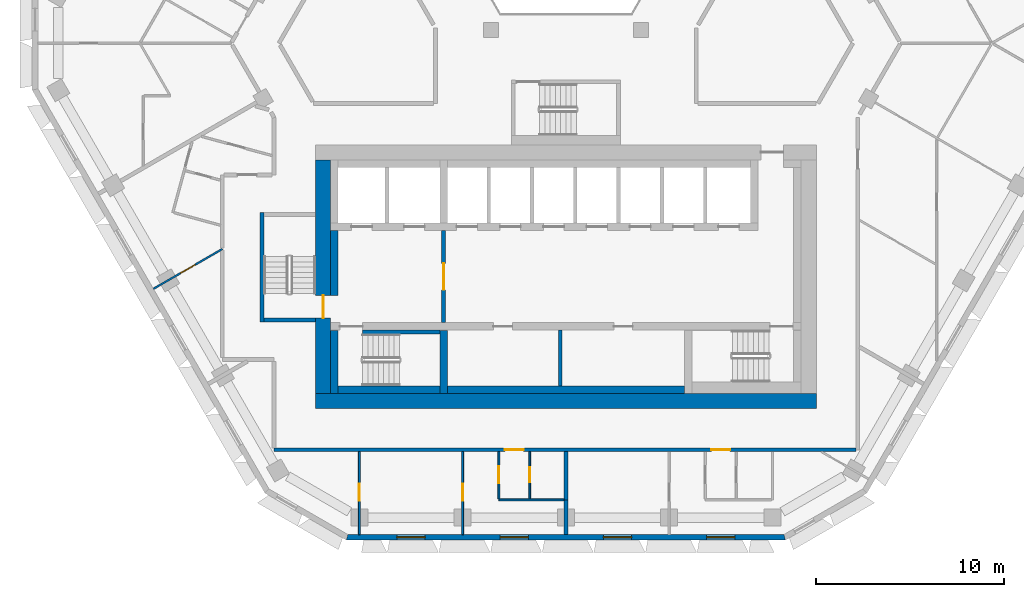
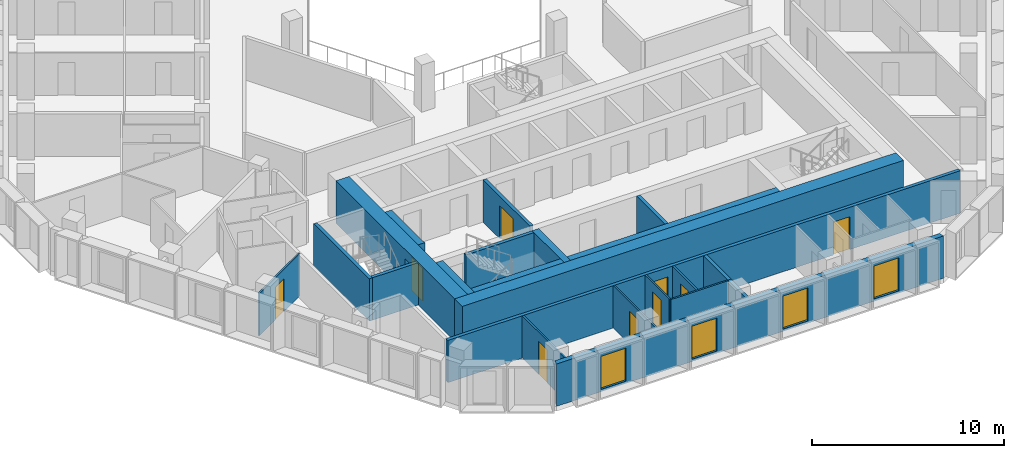
# One storey, part 3 of 15: 22 walls, 9 doors, 4 windows, 13 openings.
"""IFC4 building model written with IfcOpenShell, lengths in metres."""

from ifc_helpers import new_model, si_unit, direction, frame, frame_2d, origin, place, context, subcontext, project, spatial, polyline, rectangle, outline, extrude, material, layer, layer_set, type_object, element, fill, save


model = new_model("IFC4")

# Units and contexts
model_context = context("Model", 3, precision=1e-05, world=origin(), true_north=direction((0.0, 1.0)))
body_context = subcontext(model_context, "Body", "Model", "MODEL_VIEW")
ifc_project = project(units=[si_unit("LENGTHUNIT", "METRE"), si_unit("AREAUNIT", "SQUARE_METRE"), si_unit("VOLUMEUNIT", "CUBIC_METRE"), si_unit("PLANEANGLEUNIT", "RADIAN"), si_unit("MASSUNIT", "GRAM", prefix="KILO")], contexts=[model_context])

# Site, building, storey
site_placement = place(None, origin())
site = spatial("IfcSite", under=ifc_project, at=site_placement, CompositionType="ELEMENT")
building_placement = place(site_placement, origin())
building = spatial("IfcBuilding", under=site, at=building_placement, Name="Beryl Residences", CompositionType="ELEMENT")
storey_placement = place(building_placement, frame((0.0, 0.0, 117.60009765625)))
storey = spatial("IfcBuildingStorey", under=building, at=storey_placement, Name="L35", CompositionType="ELEMENT", Elevation=117.60009765625)

# Wall, openings, windows
ifc_material_1 = material(Name="Composite metal panel with mineral wool insulation")
ifc_layer_1 = layer(ifc_material_1, 0.300048828125)
ifc_layer_set_1 = layer_set([ifc_layer_1], Name="ES1 pale metal composite panel wall 300 mm")
wall_type_1 = type_object("IfcWallType", Name="ES1 pale metal composite panel wall 300 mm", PredefinedType="SOLIDWALL", material=ifc_layer_set_1)
wall_1_placement = place(storey_placement, frame((-11.662109375, -25.85009765625, 0.0), z_axis=(0.0, 0.0, 1.0), x_axis=(1.0, 0.0, 0.0)))
wall_1 = element("IfcWall", 1, at=wall_1_placement, inside=storey, type_object=wall_type_1, Name="ES1 external wall L35 S", PredefinedType="SOLIDWALL", context=body_context, shape_type="SweptSolid", body=[
    extrude(outline(polyline([(0.0, -0.14990234375), (23.32421875, -0.14990234375), (23.243896484375, 0.14990234375), (0.080322265625, 0.14990234375), (0.0, -0.14990234375)])), origin(), (0.0, 0.0, 1.0), 2.699951171875),
])
opening_1_placement = place(wall_1_placement, frame((2.68603515625, 0.0, 0.14990234375)))
opening_1 = element("IfcOpeningElement", 2, at=opening_1_placement, cuts=wall_1, Name="Opening W1", PredefinedType="OPENING", context=body_context, shape_type="SweptSolid", body=[
    extrude(rectangle(XDim=1.5, YDim=2.10009765625, at=frame_2d((0.75, 1.050048828125))), frame((0.0, 0.159912109375, 0.0), z_axis=(0.0, -1.0, 0.0), x_axis=(1.0, 0.0, 0.0)), (0.0, 0.0, 1.0), 0.320068359375),
])
opening_2_placement = place(wall_1_placement, frame((8.169921875, 0.0, 0.14990234375)))
opening_2 = element("IfcOpeningElement", 3, at=opening_2_placement, cuts=wall_1, Name="Opening W1", PredefinedType="OPENING", context=body_context, shape_type="SweptSolid", body=[
    extrude(rectangle(XDim=1.5, YDim=2.10009765625, at=frame_2d((0.75, 1.050048828125))), frame((0.0, 0.159912109375, 0.0), z_axis=(0.0, -1.0, 0.0), x_axis=(1.0, 0.0, 0.0)), (0.0, 0.0, 1.0), 0.320068359375),
])
opening_3_placement = place(wall_1_placement, frame((13.656005859375, 0.0, 0.14990234375)))
opening_3 = element("IfcOpeningElement", 4, at=opening_3_placement, cuts=wall_1, Name="Opening W1", PredefinedType="OPENING", context=body_context, shape_type="SweptSolid", body=[
    extrude(rectangle(XDim=1.5, YDim=2.10009765625, at=frame_2d((0.75, 1.050048828125))), frame((0.0, 0.159912109375, 0.0), z_axis=(0.0, -1.0, 0.0), x_axis=(1.0, 0.0, 0.0)), (0.0, 0.0, 1.0), 0.320068359375),
])
opening_4_placement = place(wall_1_placement, frame((19.14111328125, 0.0, 0.14990234375)))
opening_4 = element("IfcOpeningElement", 5, at=opening_4_placement, cuts=wall_1, Name="Opening W1", PredefinedType="OPENING", context=body_context, shape_type="SweptSolid", body=[
    extrude(rectangle(XDim=1.5, YDim=2.10009765625, at=frame_2d((0.75, 1.050048828125))), frame((0.0, 0.159912109375, 0.0), z_axis=(0.0, -1.0, 0.0), x_axis=(1.0, 0.0, 0.0)), (0.0, 0.0, 1.0), 0.320068359375),
])
ifc_material_2 = material(Name="Aluminium and clear glass", Category="aluminium")
window_type = type_object("IfcWindowType", Name="W1 cell window 1500 x 2100 mm", PartitioningType="SINGLE_PANEL", PredefinedType="WINDOW", material=ifc_material_2)
window_1_placement = place(opening_1_placement, origin())
window_1 = element("IfcWindow", 6, at=window_1_placement, inside=storey, type_object=window_type, Name="W1 window L35 S 2", OverallHeight=2.10009765625, OverallWidth=1.5, PartitioningType="SINGLE_PANEL", PredefinedType="WINDOW", context=body_context, shape_type="SweptSolid", body=[
    extrude(rectangle(XDim=1.5, YDim=2.10009765625, at=frame_2d((0.75, 1.050048828125))), frame((0.0, 0.030029296875, 0.0), z_axis=(0.0, -1.0, 0.0), x_axis=(1.0, 0.0, 0.0)), (0.0, 0.0, 1.0), 0.06005859375),
])
fill(opening_1, window_1)
window_2_placement = place(opening_2_placement, origin())
window_2 = element("IfcWindow", 7, at=window_2_placement, inside=storey, type_object=window_type, Name="W1 window L35 S 4", OverallHeight=2.10009765625, OverallWidth=1.5, PartitioningType="SINGLE_PANEL", PredefinedType="WINDOW", context=body_context, shape_type="SweptSolid", body=[
    extrude(rectangle(XDim=1.5, YDim=2.10009765625, at=frame_2d((0.75, 1.050048828125))), frame((0.0, 0.030029296875, 0.0), z_axis=(0.0, -1.0, 0.0), x_axis=(1.0, 0.0, 0.0)), (0.0, 0.0, 1.0), 0.06005859375),
])
fill(opening_2, window_2)
window_3_placement = place(opening_3_placement, origin())
window_3 = element("IfcWindow", 8, at=window_3_placement, inside=storey, type_object=window_type, Name="W1 window L35 S 6", OverallHeight=2.10009765625, OverallWidth=1.5, PartitioningType="SINGLE_PANEL", PredefinedType="WINDOW", context=body_context, shape_type="SweptSolid", body=[
    extrude(rectangle(XDim=1.5, YDim=2.10009765625, at=frame_2d((0.75, 1.050048828125))), frame((0.0, 0.030029296875, 0.0), z_axis=(0.0, -1.0, 0.0), x_axis=(1.0, 0.0, 0.0)), (0.0, 0.0, 1.0), 0.06005859375),
])
fill(opening_3, window_3)
window_4_placement = place(opening_4_placement, origin())
window_4 = element("IfcWindow", 9, at=window_4_placement, inside=storey, type_object=window_type, Name="W1 window L35 S 8", OverallHeight=2.10009765625, OverallWidth=1.5, PartitioningType="SINGLE_PANEL", PredefinedType="WINDOW", context=body_context, shape_type="SweptSolid", body=[
    extrude(rectangle(XDim=1.5, YDim=2.10009765625, at=frame_2d((0.75, 1.050048828125))), frame((0.0, 0.030029296875, 0.0), z_axis=(0.0, -1.0, 0.0), x_axis=(1.0, 0.0, 0.0)), (0.0, 0.0, 1.0), 0.06005859375),
])
fill(opening_4, window_4)

# Wall, opening, door
ifc_material_3 = material(Name="Gypsum board partition on steel studs", Category="steel")
ifc_layer_2 = layer(ifc_material_3, 0.10009765625)
ifc_layer_set_2 = layer_set([ifc_layer_2], Name="PT1 partition 100 mm gypsum board on steel studs")
wall_type_2 = type_object("IfcWallType", Name="PT1 partition 100 mm gypsum board on steel studs", PredefinedType="PARTITIONING", material=ifc_layer_set_2)
wall_2_placement = place(storey_placement, frame((-3.56396484375, -21.300048828125, 0.0), z_axis=(0.0, 0.0, 1.0), x_axis=(0.0, -1.0, 0.0)))
wall_2 = element("IfcWall", 10, at=wall_2_placement, inside=storey, type_object=wall_type_2, Name="Wall PT1 L35 006", PredefinedType="PARTITIONING", context=body_context, shape_type="SweptSolid", body=[
    extrude(rectangle(XDim=2.509033203125, YDim=0.10009765625, at=frame_2d((1.25439453125, 0.0))), origin(), (0.0, 0.0, 1.0), 2.699951171875),
])
opening_5_placement = place(wall_2_placement, frame((0.780029296875, 0.0, 0.0)))
opening_5 = element("IfcOpeningElement", 11, at=opening_5_placement, cuts=wall_2, Name="Opening D1202", PredefinedType="OPENING", context=body_context, shape_type="SweptSolid", body=[
    extrude(rectangle(XDim=0.89990234375, YDim=2.10009765625, at=frame_2d((0.449951171875, 1.050048828125))), frame((0.0, 0.06005859375, 0.0), z_axis=(0.0, -1.0, 0.0), x_axis=(1.0, 0.0, 0.0)), (0.0, 0.0, 1.0), 0.1201171875),
])
ifc_material_4 = material(Name="Timber door leaf", Category="wood")
door_type_1 = type_object("IfcDoorType", Name="D2 room door 900 x 2100 mm", OperationType="SINGLE_SWING_LEFT", PredefinedType="DOOR", material=ifc_material_4)
door_1_placement = place(opening_5_placement, origin())
door_1 = element("IfcDoor", 12, at=door_1_placement, inside=storey, type_object=door_type_1, Name="Door D1202 L35 001", OperationType="SINGLE_SWING_RIGHT", OverallHeight=2.10009765625, OverallWidth=0.89990234375, PredefinedType="DOOR", context=body_context, shape_type="SweptSolid", body=[
    extrude(rectangle(XDim=0.89990234375, YDim=2.10009765625, at=frame_2d((0.449951171875, 1.050048828125))), frame((0.0, 0.02490234375, 0.0), z_axis=(0.0, -1.0, 0.0), x_axis=(1.0, 0.0, 0.0)), (0.0, 0.0, 1.0), 0.050048828125),
])
fill(opening_5, door_1)

# Wall
wall_3_placement = place(storey_placement, frame((-3.56298828125, -23.860107421875, 0.0), z_axis=(0.0, 0.0, 1.0), x_axis=(1.0, 0.0, 0.0)))
element("IfcWall", 13, at=wall_3_placement, inside=storey, type_object=wall_type_2, Name="Wall PT1 L35 020", PredefinedType="PARTITIONING", context=body_context, shape_type="SweptSolid", body=[
    extrude(rectangle(XDim=3.4638671875, YDim=0.10009765625, at=frame_2d((1.73193359375, 0.0))), origin(), (0.0, 0.0, 1.0), 2.699951171875),
])

# Wall, opening, door
wall_4_placement = place(storey_placement, frame((-5.48388671875, -25.699951171875, 0.0), z_axis=(0.0, 0.0, 1.0), x_axis=(0.0, 1.0, 0.0)))
wall_4 = element("IfcWall", 14, at=wall_4_placement, inside=storey, type_object=wall_type_2, Name="Wall PT1 L35 044", PredefinedType="PARTITIONING", context=body_context, shape_type="SweptSolid", body=[
    extrude(rectangle(XDim=4.39990234375, YDim=0.10009765625, at=frame_2d((2.199951171875, 0.0))), origin(), (0.0, 0.0, 1.0), 2.699951171875),
])
opening_6_placement = place(wall_4_placement, frame((1.800048828125, 0.0, 0.0)))
opening_6 = element("IfcOpeningElement", 15, at=opening_6_placement, cuts=wall_4, Name="Opening D1204", PredefinedType="OPENING", context=body_context, shape_type="SweptSolid", body=[
    extrude(rectangle(XDim=0.89990234375, YDim=2.10009765625, at=frame_2d((0.449951171875, 1.050048828125))), frame((0.0, 0.06005859375, 0.0), z_axis=(0.0, -1.0, 0.0), x_axis=(1.0, 0.0, 0.0)), (0.0, 0.0, 1.0), 0.1201171875),
])
door_2_placement = place(opening_6_placement, origin())
door_2 = element("IfcDoor", 16, at=door_2_placement, inside=storey, type_object=door_type_1, Name="Door D1204 L35 001", OperationType="SINGLE_SWING_RIGHT", OverallHeight=2.10009765625, OverallWidth=0.89990234375, PredefinedType="DOOR", context=body_context, shape_type="SweptSolid", body=[
    extrude(rectangle(XDim=0.89990234375, YDim=2.10009765625, at=frame_2d((0.449951171875, 1.050048828125))), frame((0.0, 0.02490234375, 0.0), z_axis=(0.0, -1.0, 0.0), x_axis=(1.0, 0.0, 0.0)), (0.0, 0.0, 1.0), 0.050048828125),
])
fill(opening_6, door_2)

wall_5_placement = place(storey_placement, frame((-10.968994140625, -25.699951171875, 0.0), z_axis=(0.0, 0.0, 1.0), x_axis=(0.0, 1.0, 0.0)))
wall_5 = element("IfcWall", 17, at=wall_5_placement, inside=storey, type_object=wall_type_2, Name="Wall PT1 L35 046", PredefinedType="PARTITIONING", context=body_context, shape_type="SweptSolid", body=[
    extrude(rectangle(XDim=4.39990234375, YDim=0.10009765625, at=frame_2d((2.199951171875, 0.0))), origin(), (0.0, 0.0, 1.0), 2.699951171875),
])
opening_7_placement = place(wall_5_placement, frame((1.800048828125, 0.0, 0.0)))
opening_7 = element("IfcOpeningElement", 18, at=opening_7_placement, cuts=wall_5, Name="Opening D1205", PredefinedType="OPENING", context=body_context, shape_type="SweptSolid", body=[
    extrude(rectangle(XDim=0.89990234375, YDim=2.10009765625, at=frame_2d((0.449951171875, 1.050048828125))), frame((0.0, 0.06005859375, 0.0), z_axis=(0.0, -1.0, 0.0), x_axis=(1.0, 0.0, 0.0)), (0.0, 0.0, 1.0), 0.1201171875),
])
door_3_placement = place(opening_7_placement, origin())
door_3 = element("IfcDoor", 19, at=door_3_placement, inside=storey, type_object=door_type_1, Name="Door D1205 L35 001", OperationType="SINGLE_SWING_LEFT", OverallHeight=2.10009765625, OverallWidth=0.89990234375, PredefinedType="DOOR", context=body_context, shape_type="SweptSolid", body=[
    extrude(rectangle(XDim=0.89990234375, YDim=2.10009765625, at=frame_2d((0.449951171875, 1.050048828125))), frame((0.0, 0.02490234375, 0.0), z_axis=(0.0, -1.0, 0.0), x_axis=(1.0, 0.0, 0.0)), (0.0, 0.0, 1.0), 0.050048828125),
])
fill(opening_7, door_3)

wall_6_placement = place(storey_placement, frame((-1.9189453125, -23.81005859375, 0.0), z_axis=(0.0, 0.0, 1.0), x_axis=(0.0, 1.0, 0.0)))
wall_6 = element("IfcWall", 20, at=wall_6_placement, inside=storey, type_object=wall_type_2, Name="Wall PT1 L35 047", PredefinedType="PARTITIONING", context=body_context, shape_type="SweptSolid", body=[
    extrude(rectangle(XDim=2.510009765625, YDim=0.10009765625, at=frame_2d((1.2548828125, 0.0))), origin(), (0.0, 0.0, 1.0), 2.699951171875),
])
opening_8_placement = place(wall_6_placement, frame((0.8798828125, 0.0, 0.0)))
opening_8 = element("IfcOpeningElement", 21, at=opening_8_placement, cuts=wall_6, Name="Opening D1203", PredefinedType="OPENING", context=body_context, shape_type="SweptSolid", body=[
    extrude(rectangle(XDim=0.800048828125, YDim=2.10009765625, at=frame_2d((0.39990234375, 1.050048828125))), frame((0.0, 0.06005859375, 0.0), z_axis=(0.0, -1.0, 0.0), x_axis=(1.0, 0.0, 0.0)), (0.0, 0.0, 1.0), 0.1201171875),
])
ifc_material_5 = material(Name="Timber door leaf", Category="wood")
door_type_2 = type_object("IfcDoorType", Name="D3 bathroom door 800 x 2100 mm", OperationType="SINGLE_SWING_LEFT", PredefinedType="DOOR", material=ifc_material_5)
door_4_placement = place(opening_8_placement, origin())
door_4 = element("IfcDoor", 22, at=door_4_placement, inside=storey, type_object=door_type_2, Name="Door D1203 L35 001", OperationType="SINGLE_SWING_LEFT", OverallHeight=2.10009765625, OverallWidth=0.800048828125, PredefinedType="DOOR", context=body_context, shape_type="SweptSolid", body=[
    extrude(rectangle(XDim=0.800048828125, YDim=2.10009765625, at=frame_2d((0.39990234375, 1.050048828125))), frame((0.0, 0.02490234375, 0.0), z_axis=(0.0, -1.0, 0.0), x_axis=(1.0, 0.0, 0.0)), (0.0, 0.0, 1.0), 0.050048828125),
])
fill(opening_8, door_4)

wall_7_placement = place(storey_placement, frame((-21.910888671875, -12.64892578125, 0.0), z_axis=(0.0, 0.0, 1.0), x_axis=(0.865984571374, 0.500070717141, 0.0)))
wall_7 = element("IfcWall", 23, at=wall_7_placement, inside=storey, type_object=wall_type_2, Name="Wall PT1 L35 050", PredefinedType="PARTITIONING", context=body_context, shape_type="SweptSolid", body=[
    extrude(rectangle(XDim=4.2275390625, YDim=0.10009765625, at=frame_2d((2.11376953125, 0.0))), origin(), (0.0, 0.0, 1.0), 2.699951171875),
])
opening_9_placement = place(wall_7_placement, frame((1.6640625, 0.0, 0.0)))
opening_9 = element("IfcOpeningElement", 24, at=opening_9_placement, cuts=wall_7, Name="Opening D1253", PredefinedType="OPENING", context=body_context, shape_type="SweptSolid", body=[
    extrude(rectangle(XDim=0.89990234375, YDim=2.10009765625, at=frame_2d((0.449951171875, 1.050048828125))), frame((0.0, 0.06005859375, 0.0), z_axis=(0.0, -1.0, 0.0), x_axis=(1.0, 0.0, 0.0)), (0.0, 0.0, 1.0), 0.1201171875),
])
door_5_placement = place(opening_9_placement, origin())
door_5 = element("IfcDoor", 25, at=door_5_placement, inside=storey, type_object=door_type_1, Name="Door D1253 L35 001", OperationType="SINGLE_SWING_LEFT", OverallHeight=2.10009765625, OverallWidth=0.89990234375, PredefinedType="DOOR", context=body_context, shape_type="SweptSolid", body=[
    extrude(rectangle(XDim=0.89990234375, YDim=2.10009765625, at=frame_2d((0.449951171875, 1.050048828125))), frame((0.0, 0.02490234375, 0.0), z_axis=(0.0, -1.0, 0.0), x_axis=(1.0, 0.0, 0.0)), (0.0, 0.0, 1.0), 0.050048828125),
])
fill(opening_9, door_5)

ifc_material_6 = material(Name="Concrete masonry", Category="masonry")
ifc_layer_3 = layer(ifc_material_6, 0.199951171875)
ifc_layer_set_3 = layer_set([ifc_layer_3], Name="PT13 lobby wall 200 mm")
wall_type_3 = type_object("IfcWallType", Name="PT13 lobby wall 200 mm", PredefinedType="PARTITIONING", material=ifc_layer_set_3)
wall_8_placement = place(storey_placement, frame((-6.5, -14.449951171875, 0.0), z_axis=(0.0, 0.0, 1.0), x_axis=(0.0, 1.0, 0.0)))
wall_8 = element("IfcWall", 26, at=wall_8_placement, inside=storey, type_object=wall_type_3, Name="Lobby wall 11", PredefinedType="PARTITIONING", context=body_context, shape_type="SweptSolid", body=[
    extrude(rectangle(XDim=4.89990234375, YDim=0.199951171875, at=frame_2d((2.449951171875, 0.0))), origin(), (0.0, 0.0, 1.0), 2.699951171875),
])
opening_10_placement = place(wall_8_placement, frame((3.14990234375, 0.0, 0.0), z_axis=(0.0, 0.0, 1.0), x_axis=(-1.0, 0.0, 0.0)))
opening_10 = element("IfcOpeningElement", 27, at=opening_10_placement, cuts=wall_8, Name="Opening FD-FFL", PredefinedType="OPENING", context=body_context, shape_type="SweptSolid", body=[
    extrude(rectangle(XDim=1.39990234375, YDim=2.10009765625, at=frame_2d((0.699951171875, 1.050048828125))), frame((0.0, 0.10986328125, 0.0), z_axis=(0.0, -1.0, 0.0), x_axis=(1.0, 0.0, 0.0)), (0.0, 0.0, 1.0), 0.219970703125),
])
ifc_material_7 = material(Name="Steel door leaf in steel frame", Category="steel")
door_type_3 = type_object("IfcDoorType", Name="D5 lobby door 1400 x 2100 mm", OperationType="DOUBLE_DOOR_SINGLE_SWING", PredefinedType="DOOR", material=ifc_material_7)
door_6_placement = place(opening_10_placement, origin())
door_6 = element("IfcDoor", 28, at=door_6_placement, inside=storey, type_object=door_type_3, Name="Door FD-FFL L35 001", OperationType="DOUBLE_DOOR_SINGLE_SWING", OverallHeight=2.10009765625, OverallWidth=1.39990234375, PredefinedType="DOOR", context=body_context, shape_type="SweptSolid", body=[
    extrude(rectangle(XDim=1.39990234375, YDim=2.10009765625, at=frame_2d((0.699951171875, 1.050048828125))), frame((0.0, 0.02490234375, 0.0), z_axis=(0.0, -1.0, 0.0), x_axis=(1.0, 0.0, 0.0)), (0.0, 0.0, 1.0), 0.050048828125),
])
fill(opening_10, door_6)

# Walls
ifc_material_8 = material(Name="Concrete masonry", Category="masonry")
ifc_layer_4 = layer(ifc_material_8, 0.39990234375)
ifc_layer_set_4 = layer_set([ifc_layer_4], Name="PT13-400 lobby wall 400 mm")
wall_type_4 = type_object("IfcWallType", Name="PT13-400 lobby wall 400 mm", PredefinedType="PARTITIONING", material=ifc_layer_set_4)
wall_9_placement = place(storey_placement, frame((-12.300048828125, -13.0, 0.0), z_axis=(0.0, 0.0, 1.0), x_axis=(0.0, 1.0, 0.0)))
element("IfcWall", 29, at=wall_9_placement, inside=storey, type_object=wall_type_4, Name="Lobby wall 05", PredefinedType="PARTITIONING", context=body_context, shape_type="SweptSolid", body=[
    extrude(rectangle(XDim=3.449951171875, YDim=0.39990234375, at=frame_2d((1.72509765625, 0.0))), origin(), (0.0, 0.0, 1.0), 2.699951171875),
])
ifc_material_9 = material(Name="Acoustic double stud gypsum board wall")
ifc_layer_5 = layer(ifc_material_9, 0.199951171875)
ifc_layer_set_5 = layer_set([ifc_layer_5], Name="PT3 party wall 200 mm acoustic double stud")
wall_type_5 = type_object("IfcWallType", Name="PT3 party wall 200 mm acoustic double stud", PredefinedType="PARTITIONING", material=ifc_layer_set_5)
wall_10_placement = place(storey_placement, frame((0.0009765625, -23.860107421875, 0.0), z_axis=(0.0, 0.0, 1.0), x_axis=(0.0, -1.0, 0.0)))
element("IfcWall", 30, at=wall_10_placement, inside=storey, type_object=wall_type_5, Name="Wall PT3 L35 003", PredefinedType="PARTITIONING", context=body_context, shape_type="SweptSolid", body=[
    extrude(rectangle(XDim=1.83984375, YDim=0.199951171875, at=frame_2d((0.919921875, 0.0))), origin(), (0.0, 0.0, 1.0), 2.699951171875),
])
wall_11_placement = place(storey_placement, frame((0.0009765625, -23.860107421875, 0.0), z_axis=(0.0, 0.0, 1.0), x_axis=(0.0, 1.0, 0.0)))
element("IfcWall", 31, at=wall_11_placement, inside=storey, type_object=wall_type_5, Name="Wall PT3 L35 010", PredefinedType="PARTITIONING", context=body_context, shape_type="SweptSolid", body=[
    extrude(rectangle(XDim=2.56005859375, YDim=0.199951171875, at=frame_2d((1.280029296875, 0.0))), origin(), (0.0, 0.0, 1.0), 2.699951171875),
])

# Wall, openings, doors
ifc_material_10 = material(Name="Double stud gypsum board wall")
ifc_layer_6 = layer(ifc_material_10, 0.199951171875)
ifc_layer_set_6 = layer_set([ifc_layer_6], Name="PT4 corridor wall 200 mm double stud")
wall_type_6 = type_object("IfcWallType", Name="PT4 corridor wall 200 mm double stud", PredefinedType="PARTITIONING", material=ifc_layer_set_6)
wall_12_placement = place(storey_placement, frame((-15.4990234375, -21.199951171875, 0.0), z_axis=(0.0, 0.0, 1.0), x_axis=(1.0, 0.0, 0.0)))
wall_12 = element("IfcWall", 32, at=wall_12_placement, inside=storey, type_object=wall_type_6, Name="Wall PT4 L35 012", PredefinedType="PARTITIONING", context=body_context, shape_type="SweptSolid", body=[
    extrude(rectangle(XDim=30.89794921875, YDim=0.199951171875, at=frame_2d((15.448974609375, 0.0))), origin(), (0.0, 0.0, 1.0), 2.699951171875),
])
opening_11_placement = place(wall_12_placement, frame((12.258056640625, 0.0, 0.0)))
opening_11 = element("IfcOpeningElement", 33, at=opening_11_placement, cuts=wall_12, Name="Opening D1201", PredefinedType="OPENING", context=body_context, shape_type="SweptSolid", body=[
    extrude(rectangle(XDim=1.0, YDim=2.10009765625, at=frame_2d((0.5, 1.050048828125))), frame((0.0, 0.10986328125, 0.0), z_axis=(0.0, -1.0, 0.0), x_axis=(1.0, 0.0, 0.0)), (0.0, 0.0, 1.0), 0.219970703125),
])
opening_12_placement = place(wall_12_placement, frame((23.22802734375, 0.0, 0.0)))
opening_12 = element("IfcOpeningElement", 34, at=opening_12_placement, cuts=wall_12, Name="Opening D1206", PredefinedType="OPENING", context=body_context, shape_type="SweptSolid", body=[
    extrude(rectangle(XDim=1.0, YDim=2.10009765625, at=frame_2d((0.5, 1.050048828125))), frame((0.0, 0.10986328125, 0.0), z_axis=(0.0, -1.0, 0.0), x_axis=(1.0, 0.0, 0.0)), (0.0, 0.0, 1.0), 0.219970703125),
])
ifc_material_11 = material(Name="Timber door leaf", Category="wood")
door_type_4 = type_object("IfcDoorType", Name="D1 flat entrance door 1000 x 2100 mm", OperationType="SINGLE_SWING_LEFT", PredefinedType="DOOR", material=ifc_material_11)
door_7_placement = place(opening_11_placement, origin())
door_7 = element("IfcDoor", 35, at=door_7_placement, inside=storey, type_object=door_type_4, Name="Door D1201 L35 001", OperationType="SINGLE_SWING_LEFT", OverallHeight=2.10009765625, OverallWidth=1.0, PredefinedType="DOOR", context=body_context, shape_type="SweptSolid", body=[
    extrude(rectangle(XDim=1.0, YDim=2.10009765625, at=frame_2d((0.5, 1.050048828125))), frame((0.0, 0.02490234375, 0.0), z_axis=(0.0, -1.0, 0.0), x_axis=(1.0, 0.0, 0.0)), (0.0, 0.0, 1.0), 0.050048828125),
])
fill(opening_11, door_7)
door_8_placement = place(opening_12_placement, origin())
door_8 = element("IfcDoor", 36, at=door_8_placement, inside=storey, type_object=door_type_4, Name="Door D1206 L35 001", OperationType="SINGLE_SWING_RIGHT", OverallHeight=2.10009765625, OverallWidth=1.0, PredefinedType="DOOR", context=body_context, shape_type="SweptSolid", body=[
    extrude(rectangle(XDim=1.0, YDim=2.10009765625, at=frame_2d((0.5, 1.050048828125))), frame((0.0, 0.02490234375, 0.0), z_axis=(0.0, -1.0, 0.0), x_axis=(1.0, 0.0, 0.0)), (0.0, 0.0, 1.0), 0.050048828125),
])
fill(opening_12, door_8)

# Walls
ifc_material_12 = material(Name="Concrete C40/50", Category="concrete")
ifc_layer_7 = layer(ifc_material_12, 0.199951171875)
ifc_layer_set_7 = layer_set([ifc_layer_7], Name="PT5 stair enclosure wall 200 mm reinforced concrete C40/50")
wall_type_7 = type_object("IfcWallType", Name="PT5 stair enclosure wall 200 mm reinforced concrete C40/50", PredefinedType="SOLIDWALL", material=ifc_layer_set_7)
wall_13_placement = place(storey_placement, frame((-16.14990234375, -14.39990234375, 0.0), z_axis=(0.0, 0.0, 1.0), x_axis=(0.0, 1.0, 0.0)))
element("IfcWall", 37, at=wall_13_placement, inside=storey, type_object=wall_type_7, Name="Stair wall 01", PredefinedType="SOLIDWALL", context=body_context, shape_type="SweptSolid", body=[
    extrude(rectangle(XDim=5.7998046875, YDim=0.199951171875, at=frame_2d((2.89990234375, 0.0))), origin(), (0.0, 0.0, 1.0), 2.699951171875),
])
wall_14_placement = place(storey_placement, frame((-16.050048828125, -14.300048828125, 0.0), z_axis=(0.0, 0.0, 1.0), x_axis=(1.0, 0.0, 0.0)))
element("IfcWall", 38, at=wall_14_placement, inside=storey, type_object=wall_type_7, Name="Stair wall 02", PredefinedType="SOLIDWALL", context=body_context, shape_type="SweptSolid", body=[
    extrude(rectangle(XDim=2.75, YDim=0.199951171875, at=frame_2d((1.375, 0.0))), origin(), (0.0, 0.0, 1.0), 2.699951171875),
])
wall_15_placement = place(storey_placement, frame((-10.800048828125, -14.949951171875, 0.0), z_axis=(0.0, 0.0, 1.0), x_axis=(1.0, 0.0, 0.0)))
element("IfcWall", 39, at=wall_15_placement, inside=storey, type_object=wall_type_7, Name="Stair wall 09", PredefinedType="SOLIDWALL", context=body_context, shape_type="SweptSolid", body=[
    extrude(rectangle(XDim=4.10009765625, YDim=0.199951171875, at=frame_2d((2.050048828125, 0.0))), origin(), (0.0, 0.0, 1.0), 2.699951171875),
])
ifc_material_13 = material(Name="Concrete C40/50", Category="concrete")
ifc_layer_8 = layer(ifc_material_13, 0.39990234375)
ifc_layer_set_8 = layer_set([ifc_layer_8], Name="PT5-400 stair enclosure wall 400 mm")
wall_type_8 = type_object("IfcWallType", Name="PT5-400 stair enclosure wall 400 mm", PredefinedType="SOLIDWALL", material=ifc_layer_set_8)
wall_16_placement = place(storey_placement, frame((-12.300048828125, -18.199951171875, 0.0), z_axis=(0.0, 0.0, 1.0), x_axis=(0.0, 1.0, 0.0)))
element("IfcWall", 40, at=wall_16_placement, inside=storey, type_object=wall_type_8, Name="Stair wall 04", PredefinedType="SOLIDWALL", context=body_context, shape_type="SweptSolid", body=[
    extrude(rectangle(XDim=3.349853515625, YDim=0.39990234375, at=frame_2d((1.6748046875, 0.0))), origin(), (0.0, 0.0, 1.0), 2.699951171875),
])
wall_17_placement = place(storey_placement, frame((-12.10009765625, -18.0, 0.0), z_axis=(0.0, 0.0, 1.0), x_axis=(1.0, 0.0, 0.0)))
element("IfcWall", 41, at=wall_17_placement, inside=storey, type_object=wall_type_8, Name="Stair wall 07", PredefinedType="SOLIDWALL", context=body_context, shape_type="SweptSolid", body=[
    extrude(rectangle(XDim=5.400146484375, YDim=0.39990234375, at=frame_2d((2.7001953125, 0.0))), origin(), (0.0, 0.0, 1.0), 2.699951171875),
])
ifc_material_14 = material(Name="Concrete masonry", Category="masonry")
ifc_layer_9 = layer(ifc_material_14, 0.199951171875)
ifc_layer_set_9 = layer_set([ifc_layer_9], Name="PT8-200 service room wall 200 mm")
wall_type_9 = type_object("IfcWallType", Name="PT8-200 service room wall 200 mm", PredefinedType="PARTITIONING", material=ifc_layer_set_9)
wall_18_placement = place(storey_placement, frame((-0.300048828125, -17.800048828125, 0.0), z_axis=(0.0, 0.0, 1.0), x_axis=(0.0, 1.0, 0.0)))
element("IfcWall", 42, at=wall_18_placement, inside=storey, type_object=wall_type_9, Name="Core room wall 16", PredefinedType="PARTITIONING", context=body_context, shape_type="SweptSolid", body=[
    extrude(rectangle(XDim=2.949951171875, YDim=0.199951171875, at=frame_2d((1.47509765625, 0.0))), origin(), (0.0, 0.0, 1.0), 2.699951171875),
])
ifc_material_15 = material(Name="Concrete masonry", Category="masonry")
ifc_layer_10 = layer(ifc_material_15, 0.39990234375)
ifc_layer_set_10 = layer_set([ifc_layer_10], Name="PT8-400 service room wall 400 mm")
wall_type_10 = type_object("IfcWallType", Name="PT8-400 service room wall 400 mm", PredefinedType="PARTITIONING", material=ifc_layer_set_10)
wall_19_placement = place(storey_placement, frame((-6.300048828125, -18.0, 0.0), z_axis=(0.0, 0.0, 1.0), x_axis=(1.0, 0.0, 0.0)))
element("IfcWall", 43, at=wall_19_placement, inside=storey, type_object=wall_type_10, Name="Core room wall 12", PredefinedType="PARTITIONING", context=body_context, shape_type="SweptSolid", body=[
    extrude(rectangle(XDim=12.60009765625, YDim=0.39990234375, at=frame_2d((6.300048828125, 0.0))), origin(), (0.0, 0.0, 1.0), 2.699951171875),
])
ifc_material_16 = material(Name="Concrete C60/75", Category="concrete")
ifc_layer_11 = layer(ifc_material_16, 0.800048828125)
ifc_layer_set_11 = layer_set([ifc_layer_11], Name="SW3 core outer wall 800 mm C60/75")
wall_type_11 = type_object("IfcWallType", Name="SW3 core outer wall 800 mm C60/75", PredefinedType="SHEAR", material=ifc_layer_set_11)
wall_20_placement = place(storey_placement, frame((-13.300048828125, -18.60009765625, 0.0), z_axis=(0.0, 0.0, 1.0), x_axis=(1.0, 0.0, 0.0)))
element("IfcWall", 44, at=wall_20_placement, inside=storey, type_object=wall_type_11, Name="Core wall S L35", PredefinedType="SHEAR", context=body_context, shape_type="SweptSolid", body=[
    extrude(rectangle(XDim=26.60009765625, YDim=0.800048828125, at=frame_2d((13.300048828125, 0.0))), origin(), (0.0, 0.0, 1.0), 2.699951171875),
])

# Wall, opening, door
wall_21_placement = place(storey_placement, frame((-12.89990234375, -18.199951171875, 0.0), z_axis=(0.0, 0.0, 1.0), x_axis=(0.0, 1.0, 0.0)))
wall_21 = element("IfcWall", 45, at=wall_21_placement, inside=storey, type_object=wall_type_11, Name="Core wall W L35", PredefinedType="SHEAR", context=body_context, shape_type="SweptSolid", body=[
    extrude(rectangle(XDim=12.39990234375, YDim=0.800048828125, at=frame_2d((6.199951171875, 0.0))), origin(), (0.0, 0.0, 1.0), 2.699951171875),
])
opening_13_placement = place(wall_21_placement, frame((4.0, 0.0, 0.0)))
opening_13 = element("IfcOpeningElement", 46, at=opening_13_placement, cuts=wall_21, Name="Opening SD-2", PredefinedType="OPENING", context=body_context, shape_type="SweptSolid", body=[
    extrude(rectangle(XDim=1.199951171875, YDim=2.10009765625, at=frame_2d((0.60009765625, 1.050048828125))), frame((0.0, 0.409912109375, 0.0), z_axis=(0.0, -1.0, 0.0), x_axis=(1.0, 0.0, 0.0)), (0.0, 0.0, 1.0), 0.820068359375),
])
ifc_material_17 = material(Name="Steel door leaf in steel frame", Category="steel")
door_type_5 = type_object("IfcDoorType", Name="D4 stair door 1200 x 2100 mm", OperationType="SINGLE_SWING_LEFT", PredefinedType="DOOR", material=ifc_material_17)
door_9_placement = place(opening_13_placement, origin())
door_9 = element("IfcDoor", 47, at=door_9_placement, inside=storey, type_object=door_type_5, Name="Door SD-2 L35 001", OperationType="SINGLE_SWING_RIGHT", OverallHeight=2.10009765625, OverallWidth=1.199951171875, PredefinedType="DOOR", context=body_context, shape_type="SweptSolid", body=[
    extrude(rectangle(XDim=1.199951171875, YDim=2.10009765625, at=frame_2d((0.60009765625, 1.050048828125))), frame((0.0, 0.02490234375, 0.0), z_axis=(0.0, -1.0, 0.0), x_axis=(1.0, 0.0, 0.0)), (0.0, 0.0, 1.0), 0.050048828125),
])
fill(opening_13, door_9)

# Wall
ifc_material_18 = material(Name="Concrete C60/75", Category="concrete")
ifc_layer_12 = layer(ifc_material_18, 0.39990234375)
ifc_layer_set_12 = layer_set([ifc_layer_12], Name="SW8 core internal wall 400 mm C60/75")
wall_type_12 = type_object("IfcWallType", Name="SW8 core internal wall 400 mm C60/75", PredefinedType="SHEAR", material=ifc_layer_set_12)
wall_22_placement = place(storey_placement, frame((-6.5, -18.199951171875, 0.0), z_axis=(0.0, 0.0, 1.0), x_axis=(0.0, 1.0, 0.0)))
element("IfcWall", 48, at=wall_22_placement, inside=storey, type_object=wall_type_12, Name="Core wall XS1 L35", PredefinedType="SHEAR", context=body_context, shape_type="SweptSolid", body=[
    extrude(rectangle(XDim=3.349853515625, YDim=0.39990234375, at=frame_2d((1.6748046875, 0.0))), origin(), (0.0, 0.0, 1.0), 2.699951171875),
])

save(model, "model.ifc")
